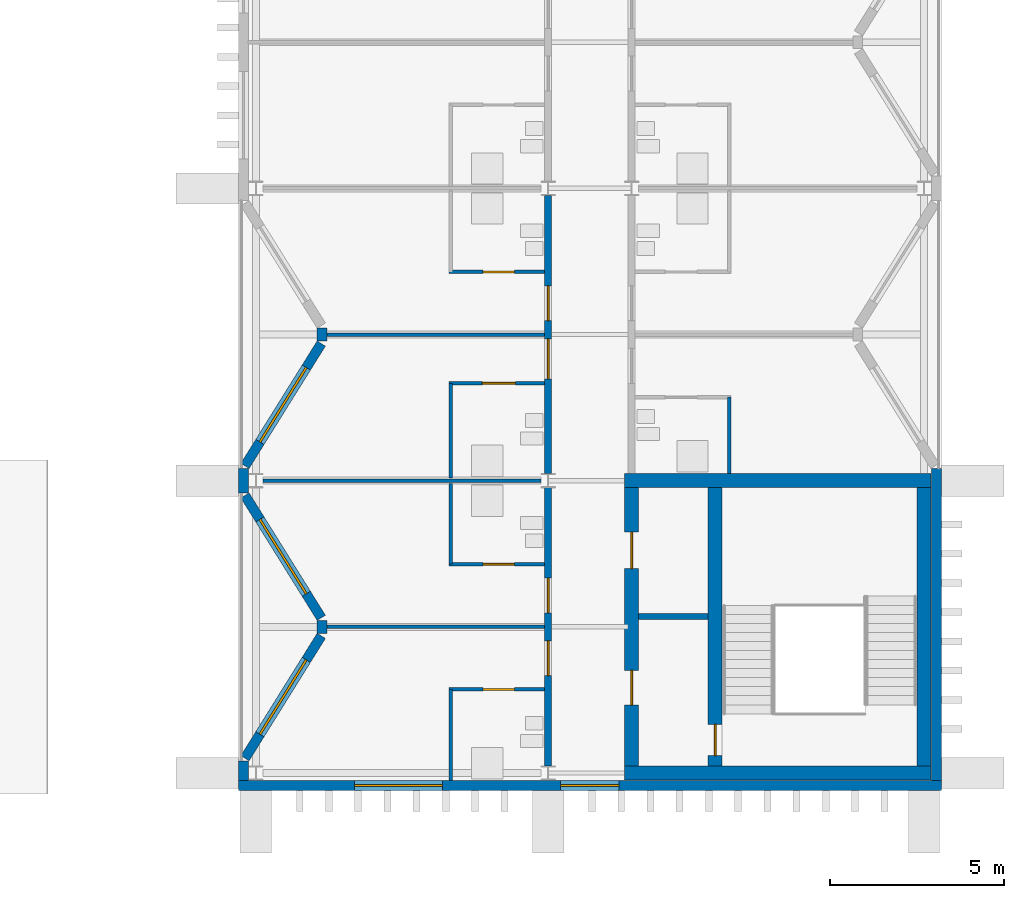
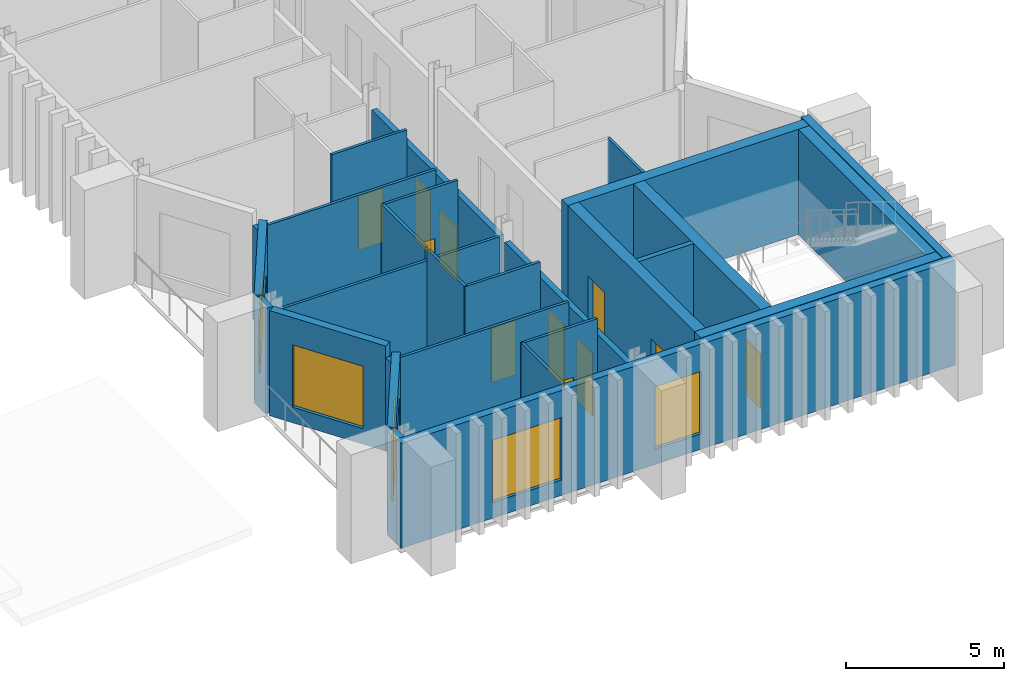
# One storey, part 10 of 21: 28 walls, 11 doors, 5 windows, 16 openings.
"""IFC4 building model written with IfcOpenShell, lengths in metres."""

import ifcopenshell
import ifcopenshell.guid

model = None  # the IFC model being written
_history = None  # IfcOwnerHistory: only IFC2X3 demands one
_inside = {}  # id of a spatial element -> (the spatial element, [elements in it])
_under = {}  # id of a project, library or spatial element -> (it, [spatial elements below it])
_declared = {}  # id of a project -> (the project, [libraries it declares])
_typed = {}  # id of a type object -> (the type object, [elements of that type])
_made_of = {}  # id of a material, layer set ... -> (it, [elements and type objects made of it])


def new_model(schema):
    """Start an empty IFC model of exactly this schema.

    Asked for "IFC4X3", IfcOpenShell would pick the latest addendum, in which some entities
    have other attributes; the version numbers below select the first issue.
    IFC2X3 requires an IfcOwnerHistory on every rooted entity: one is made here for all.
    """
    global model, _history
    if schema == "IFC4X3":
        model = ifcopenshell.file(schema_version=(4, 3, 0, 0))
    else:
        model = ifcopenshell.file(schema=schema)
    _inside.clear()
    _under.clear()
    _declared.clear()
    _typed.clear()
    _made_of.clear()
    _history = None
    if model.schema == "IFC2X3":
        org = make("IfcOrganization", Name="unknown")
        user = make(
            "IfcPersonAndOrganization",
            ThePerson=make("IfcPerson", FamilyName="unknown"),
            TheOrganization=org,
        )
        app = make(
            "IfcApplication",
            ApplicationDeveloper=org,
            Version="unknown",
            ApplicationFullName="unknown",
            ApplicationIdentifier="unknown",
        )
        _history = make(
            "IfcOwnerHistory",
            OwningUser=user,
            OwningApplication=app,
            ChangeAction="ADDED",
            CreationDate=0,
        )
    return model


def make(cls, **values):
    """One entity of the class cls with the attributes given. An attribute that is None is left unset."""
    return model.create_entity(
        cls, **{name: value for name, value in values.items() if value is not None}
    )


def rooted(cls, **values):
    """An entity with a GlobalId (a new one), such as an element, a storey or a relation."""
    return make(cls, GlobalId=ifcopenshell.guid.new(), OwnerHistory=_history, **values)


def si_unit(unit_type, name, prefix=None):
    """IfcSIUnit, for example si_unit("LENGTHUNIT", "METRE", prefix="MILLI")."""
    return make("IfcSIUnit", UnitType=unit_type, Prefix=prefix, Name=name)


def assignment(units):
    """IfcUnitAssignment: the units of a project."""
    return None if units is None else make("IfcUnitAssignment", Units=units)


def point(xyz):
    """IfcCartesianPoint."""
    return None if xyz is None else make("IfcCartesianPoint", Coordinates=xyz)


def direction(xyz):
    """IfcDirection."""
    return None if xyz is None else make("IfcDirection", DirectionRatios=xyz)


def frame(location, z_axis=None, x_axis=None):
    """IfcAxis2Placement3D, a coordinate frame: its origin and axes. An axis left out is left unset."""
    return make(
        "IfcAxis2Placement3D",
        Location=point(location),
        Axis=direction(z_axis),
        RefDirection=direction(x_axis),
    )


def frame_2d(location, x_axis=None):
    """IfcAxis2Placement2D, a coordinate frame in the plane: its origin and x axis."""
    return make(
        "IfcAxis2Placement2D", Location=point(location), RefDirection=direction(x_axis)
    )


def origin():
    """The frame at (0, 0, 0) with its axes left unset."""
    return frame((0.0, 0.0, 0.0))


def place(relative_to, where):
    """IfcLocalPlacement: puts the frame where relative to a parent placement (None: the world)."""
    return make(
        "IfcLocalPlacement", PlacementRelTo=relative_to, RelativePlacement=where
    )


def context(
    kind, dimensions, precision=None, world=None, true_north=None, identifier=None
):
    """IfcGeometricRepresentationContext, for example the 3D "Model" context."""
    return make(
        "IfcGeometricRepresentationContext",
        ContextIdentifier=identifier,
        ContextType=kind,
        CoordinateSpaceDimension=dimensions,
        Precision=precision,
        WorldCoordinateSystem=world,
        TrueNorth=true_north,
    )


def subcontext(parent, identifier, kind, view, scale=None):
    """IfcGeometricRepresentationSubContext, for example "Body" below "Model"."""
    return make(
        "IfcGeometricRepresentationSubContext",
        ContextIdentifier=identifier,
        ContextType=kind,
        ParentContext=parent,
        TargetScale=scale,
        TargetView=view,
    )


def project(units=None, contexts=None):
    """IfcProject with its units and contexts."""
    return rooted(
        "IfcProject",
        Name="project",
        RepresentationContexts=contexts,
        UnitsInContext=assignment(units),
    )


def spatial(cls, under=None, at=None, **own):
    """A site, building, storey or space (cls), placed at a placement, below another one or the project."""
    s = rooted(cls, ObjectPlacement=at, **own)
    if under is not None:
        _under.setdefault(under.id(), (under, []))[1].append(s)
    return s


def profile(cls, at=None, kind="AREA", **sizes):
    """A parametric profile (cls). Its sizes go by their IFC names, for example OverallWidth=200.0."""
    return make(cls, ProfileType=kind, Position=at, **sizes)


def rectangle(**sizes):
    """IfcRectangleProfileDef."""
    return profile("IfcRectangleProfileDef", **sizes)


def extrude(swept, where, along, depth):
    """IfcExtrudedAreaSolid: the profile swept, set in the frame where, extruded along a direction by depth."""
    return make(
        "IfcExtrudedAreaSolid",
        SweptArea=swept,
        Position=where,
        ExtrudedDirection=direction(along),
        Depth=depth,
    )


def shape(context_of_items, identifier, shape_type, items):
    """IfcShapeRepresentation: the items that make up one representation, for example the "Body"."""
    return make(
        "IfcShapeRepresentation",
        ContextOfItems=context_of_items,
        RepresentationIdentifier=identifier,
        RepresentationType=shape_type,
        Items=items,
    )


def material(Name=None, Category=None):
    """IfcMaterial."""
    return make("IfcMaterial", Name=Name, Category=Category)


def layer(
    of_material, thickness, ventilated=None, Name=None, Category=None, Priority=None
):
    """IfcMaterialLayer: one layer of a wall or slab, of a material (None: an air gap)."""
    return make(
        "IfcMaterialLayer",
        Material=of_material,
        LayerThickness=thickness,
        IsVentilated=ventilated,
        Name=Name,
        Category=Category,
        Priority=Priority,
    )


def layer_set(layers, Name=None):
    """IfcMaterialLayerSet."""
    return make("IfcMaterialLayerSet", MaterialLayers=layers, LayerSetName=Name)


def made_of(thing, what):
    """Note that an element or type object is made of a material, layer set ...; save() writes the relation."""
    if what is not None:
        _made_of.setdefault(what.id(), (what, []))[1].append(thing)
    return thing


def type_object(cls, material=None, **own):
    """A type object (cls), such as IfcWallType, which elements share."""
    return made_of(rooted(cls, **own), material)


def element(
    cls,
    number,
    at=None,
    inside=None,
    cuts=None,
    type_object=None,
    material=None,
    context=None,
    identifier="Body",
    shape_type=None,
    held_by="IfcProductDefinitionShape",
    body=None,
    shapes=None,
    **own,
):
    """One element of the class cls, such as IfcWall. Its Tag is "e" and its number.

    at: its placement. inside: the storey or other place that contains it. cuts: it is an
    opening in that element (IfcRelVoidsElement). A single representation is given by context,
    identifier, shape_type and body (its items); several are given by shapes. held_by: the class
    of the entity that holds the representations. save() writes the other relations.
    """
    e = rooted(cls, Tag="e%d" % number, ObjectPlacement=at, **own)
    if body is not None:
        shapes = [shape(context, identifier, shape_type, body)]
    if shapes is not None:
        e.Representation = make(held_by, Representations=shapes)
    if inside is not None:
        _inside.setdefault(inside.id(), (inside, []))[1].append(e)
    if cuts is not None:
        rooted(
            "IfcRelVoidsElement", RelatingBuildingElement=cuts, RelatedOpeningElement=e
        )
    if type_object is not None:
        _typed.setdefault(type_object.id(), (type_object, []))[1].append(e)
    return made_of(e, material)


def fill(opening, filler):
    """IfcRelFillsElement: the door or window that sits in an opening."""
    return rooted(
        "IfcRelFillsElement",
        RelatingOpeningElement=opening,
        RelatedBuildingElement=filler,
    )


def aggregate(whole, parts):
    """IfcRelAggregates: a whole, such as a stair, and the parts it consists of."""
    return rooted("IfcRelAggregates", RelatingObject=whole, RelatedObjects=parts)


def save(model, path):
    """Write the relations noted so far, then the file.

    IfcRelAggregates (storeys below a building ...), IfcRelContainedInSpatialStructure (elements
    in a storey), IfcRelDefinesByType, IfcRelAssociatesMaterial and IfcRelDeclares: one each for
    every whole, place, type object, material and project.
    """
    for whole, parts in _under.values():
        aggregate(whole, parts)
    for where, things in _inside.values():
        rooted(
            "IfcRelContainedInSpatialStructure",
            RelatedElements=things,
            RelatingStructure=where,
        )
    for kind, things in _typed.values():
        rooted("IfcRelDefinesByType", RelatedObjects=things, RelatingType=kind)
    for what, things in _made_of.values():
        rooted("IfcRelAssociatesMaterial", RelatedObjects=things, RelatingMaterial=what)
    for by, libraries in _declared.values():
        rooted("IfcRelDeclares", RelatingContext=by, RelatedDefinitions=libraries)
    model.write(path)


model = new_model("IFC4")

# Units and contexts
model_context = context("Model", 3, precision=1e-05, world=origin(), true_north=direction((0.0, 1.0)))
body_context = subcontext(model_context, "Body", "Model", "MODEL_VIEW")
ifc_project = project(units=[si_unit("LENGTHUNIT", "METRE"), si_unit("AREAUNIT", "SQUARE_METRE"), si_unit("VOLUMEUNIT", "CUBIC_METRE"), si_unit("PLANEANGLEUNIT", "RADIAN"), si_unit("MASSUNIT", "GRAM", prefix="KILO")], contexts=[model_context])

# Site, building, storey
site_placement = place(None, origin())
site = spatial("IfcSite", under=ifc_project, at=site_placement, CompositionType="ELEMENT")
building_placement = place(site_placement, origin())
building = spatial("IfcBuilding", under=site, at=building_placement, Name="Cresset Court Congress Hotel", CompositionType="ELEMENT")
storey_placement = place(building_placement, frame((0.0, 0.0, 22.800048828125)))
storey = spatial("IfcBuildingStorey", under=building, at=storey_placement, Name="L05", CompositionType="ELEMENT", Elevation=22.800048828125)

# Wall, openings, doors
ifc_material_1 = material(Name="Gypsum board partition")
ifc_layer_1 = layer(ifc_material_1, 0.199951171875)
ifc_layer_set_1 = layer_set([ifc_layer_1], Name="Corridor wall 200")
wall_type_1 = type_object("IfcWallType", Name="Corridor wall 200", PredefinedType="PARTITIONING", material=ifc_layer_set_1)
wall_1_placement = place(storey_placement, frame((165.60009765625, 0.199951171875, 0.0), z_axis=(0.0, 0.0, 1.0), x_axis=(0.0, 1.0, 0.0)))
wall_1 = element("IfcWall", 1, at=wall_1_placement, inside=storey, type_object=wall_type_1, Name="A.wl.L05.070", PredefinedType="PARTITIONING", context=body_context, shape_type="SweptSolid", body=[
    extrude(rectangle(XDim=8.0, YDim=0.199951171875, at=frame_2d((4.0, 0.0))), origin(), (0.0, 0.0, 1.0), 3.449951171875),
])
opening_1_placement = place(wall_1_placement, frame((2.60009765625, 0.0, 0.0)))
opening_1 = element("IfcOpeningElement", 2, at=opening_1_placement, cuts=wall_1, Name="Opening DA-05-02", PredefinedType="OPENING", context=body_context, shape_type="SweptSolid", body=[
    extrude(rectangle(XDim=1.0, YDim=2.39990234375, at=frame_2d((0.5, 1.199951171875))), frame((0.0, 0.10986328125, 0.0), z_axis=(0.0, -1.0, 0.0), x_axis=(1.0, 0.0, 0.0)), (0.0, 0.0, 1.0), 0.219970703125),
])
opening_2_placement = place(wall_1_placement, frame((4.39990234375, 0.0, 0.0)))
opening_2 = element("IfcOpeningElement", 3, at=opening_2_placement, cuts=wall_1, Name="Opening DA-05-04", PredefinedType="OPENING", context=body_context, shape_type="SweptSolid", body=[
    extrude(rectangle(XDim=1.0, YDim=2.39990234375, at=frame_2d((0.5, 1.199951171875))), frame((0.0, 0.10986328125, 0.0), z_axis=(0.0, -1.0, 0.0), x_axis=(1.0, 0.0, 0.0)), (0.0, 0.0, 1.0), 0.219970703125),
])
ifc_material_2 = material(Name="timber", Category="wood")
door_type_1 = type_object("IfcDoorType", Name="Guest-room entry door 1000x2400 FD30S", OperationType="SINGLE_SWING_LEFT", PredefinedType="DOOR", material=ifc_material_2)
door_1_placement = place(opening_1_placement, origin())
door_1 = element("IfcDoor", 4, at=door_1_placement, inside=storey, type_object=door_type_1, Name="Door DA-05-02", OperationType="SINGLE_SWING_RIGHT", OverallHeight=2.39990234375, OverallWidth=1.0, PredefinedType="DOOR", context=body_context, shape_type="SweptSolid", body=[
    extrude(rectangle(XDim=1.0, YDim=2.39990234375, at=frame_2d((0.5, 1.199951171875))), frame((0.0, 0.02490234375, 0.0), z_axis=(0.0, -1.0, 0.0), x_axis=(1.0, 0.0, 0.0)), (0.0, 0.0, 1.0), 0.050048828125),
])
fill(opening_1, door_1)
door_2_placement = place(opening_2_placement, origin())
door_2 = element("IfcDoor", 5, at=door_2_placement, inside=storey, type_object=door_type_1, Name="Door DA-05-04", OperationType="SINGLE_SWING_LEFT", OverallHeight=2.39990234375, OverallWidth=1.0, PredefinedType="DOOR", context=body_context, shape_type="SweptSolid", body=[
    extrude(rectangle(XDim=1.0, YDim=2.39990234375, at=frame_2d((0.5, 1.199951171875))), frame((0.0, 0.02490234375, 0.0), z_axis=(0.0, -1.0, 0.0), x_axis=(1.0, 0.0, 0.0)), (0.0, 0.0, 1.0), 0.050048828125),
])
fill(opening_2, door_2)

wall_2_placement = place(storey_placement, frame((165.60009765625, 8.60009765625, 0.0), z_axis=(0.0, 0.0, 1.0), x_axis=(0.0, 1.0, 0.0)))
wall_2 = element("IfcWall", 6, at=wall_2_placement, inside=storey, type_object=wall_type_1, Name="A.wl.L05.071", PredefinedType="PARTITIONING", context=body_context, shape_type="SweptSolid", body=[
    extrude(rectangle(XDim=8.0, YDim=0.199951171875, at=frame_2d((4.0, 0.0))), origin(), (0.0, 0.0, 1.0), 3.449951171875),
])
opening_3_placement = place(wall_2_placement, frame((2.72509765625, 0.0, 0.0)))
opening_3 = element("IfcOpeningElement", 7, at=opening_3_placement, cuts=wall_2, Name="Opening DA-05-06", PredefinedType="OPENING", context=body_context, shape_type="SweptSolid", body=[
    extrude(rectangle(XDim=1.14990234375, YDim=2.10009765625, at=frame_2d((0.574951171875, 1.050048828125))), frame((0.0, 0.10986328125, 0.0), z_axis=(0.0, -1.0, 0.0), x_axis=(1.0, 0.0, 0.0)), (0.0, 0.0, 1.0), 0.219970703125),
])
opening_4_placement = place(wall_2_placement, frame((4.39990234375, 0.0, 0.0)))
opening_4 = element("IfcOpeningElement", 8, at=opening_4_placement, cuts=wall_2, Name="Opening DA-05-08", PredefinedType="OPENING", context=body_context, shape_type="SweptSolid", body=[
    extrude(rectangle(XDim=1.0, YDim=2.39990234375, at=frame_2d((0.5, 1.199951171875))), frame((0.0, 0.10986328125, 0.0), z_axis=(0.0, -1.0, 0.0), x_axis=(1.0, 0.0, 0.0)), (0.0, 0.0, 1.0), 0.219970703125),
])
ifc_material_3 = material(Name="timber", Category="wood")
door_type_2 = type_object("IfcDoorType", Name="Accessible guest-room entry door 1150x2100 FD30S", OperationType="SINGLE_SWING_LEFT", PredefinedType="DOOR", material=ifc_material_3)
door_3_placement = place(opening_3_placement, origin())
door_3 = element("IfcDoor", 9, at=door_3_placement, inside=storey, type_object=door_type_2, Name="Door DA-05-06", OperationType="SINGLE_SWING_RIGHT", OverallHeight=2.10009765625, OverallWidth=1.14990234375, PredefinedType="DOOR", context=body_context, shape_type="SweptSolid", body=[
    extrude(rectangle(XDim=1.14990234375, YDim=2.10009765625, at=frame_2d((0.574951171875, 1.050048828125))), frame((0.0, 0.02490234375, 0.0), z_axis=(0.0, -1.0, 0.0), x_axis=(1.0, 0.0, 0.0)), (0.0, 0.0, 1.0), 0.050048828125),
])
fill(opening_3, door_3)
door_4_placement = place(opening_4_placement, origin())
door_4 = element("IfcDoor", 10, at=door_4_placement, inside=storey, type_object=door_type_1, Name="Door DA-05-08", OperationType="SINGLE_SWING_LEFT", OverallHeight=2.39990234375, OverallWidth=1.0, PredefinedType="DOOR", context=body_context, shape_type="SweptSolid", body=[
    extrude(rectangle(XDim=1.0, YDim=2.39990234375, at=frame_2d((0.5, 1.199951171875))), frame((0.0, 0.02490234375, 0.0), z_axis=(0.0, -1.0, 0.0), x_axis=(1.0, 0.0, 0.0)), (0.0, 0.0, 1.0), 0.050048828125),
])
fill(opening_4, door_4)

# Wall
ifc_material_4 = material(Name="Gypsum board partition")
ifc_layer_2 = layer(ifc_material_4, 0.10009765625)
ifc_layer_set_2 = layer_set([ifc_layer_2], Name="En-suite wall 100")
wall_type_2 = type_object("IfcWallType", Name="En-suite wall 100", PredefinedType="PARTITIONING", material=ifc_layer_set_2)
wall_3_placement = place(storey_placement, frame((162.800048828125, -0.219970703125, 0.0), z_axis=(0.0, 0.0, 1.0), x_axis=(0.0, 1.0, 0.0)))
element("IfcWall", 11, at=wall_3_placement, inside=storey, type_object=wall_type_2, Name="A.wl.L05.001", PredefinedType="PARTITIONING", context=body_context, shape_type="SweptSolid", body=[
    extrude(rectangle(XDim=2.619873046875, YDim=0.10009765625, at=frame_2d((1.31005859375, 0.0))), origin(), (0.0, 0.0, 1.0), 4.050048828125),
])

# Wall, opening, door
wall_4_placement = place(storey_placement, frame((162.75, 2.39990234375, 0.0), z_axis=(0.0, 0.0, 1.0), x_axis=(1.0, 0.0, 0.0)))
wall_4 = element("IfcWall", 12, at=wall_4_placement, inside=storey, type_object=wall_type_2, Name="A.wl.L05.002", PredefinedType="PARTITIONING", context=body_context, shape_type="SweptSolid", body=[
    extrude(rectangle(XDim=2.75, YDim=0.10009765625, at=frame_2d((1.375, 0.0))), origin(), (0.0, 0.0, 1.0), 4.050048828125),
])
opening_5_placement = place(wall_4_placement, frame((0.97998046875, 0.0, 0.0)))
opening_5 = element("IfcOpeningElement", 13, at=opening_5_placement, cuts=wall_4, Name="Opening DA-05-01", PredefinedType="OPENING", context=body_context, shape_type="SweptSolid", body=[
    extrude(rectangle(XDim=0.89990234375, YDim=2.10009765625, at=frame_2d((0.449951171875, 1.050048828125))), frame((0.0, 0.06005859375, 0.0), z_axis=(0.0, -1.0, 0.0), x_axis=(1.0, 0.0, 0.0)), (0.0, 0.0, 1.0), 0.1201171875),
])
ifc_material_5 = material(Name="timber", Category="wood")
door_type_3 = type_object("IfcDoorType", Name="En-suite door 900x2100", OperationType="SINGLE_SWING_LEFT", PredefinedType="DOOR", material=ifc_material_5)
door_5_placement = place(opening_5_placement, origin())
door_5 = element("IfcDoor", 14, at=door_5_placement, inside=storey, type_object=door_type_3, Name="Door DA-05-01", OperationType="SINGLE_SWING_RIGHT", OverallHeight=2.10009765625, OverallWidth=0.89990234375, PredefinedType="DOOR", context=body_context, shape_type="SweptSolid", body=[
    extrude(rectangle(XDim=0.89990234375, YDim=2.10009765625, at=frame_2d((0.449951171875, 1.050048828125))), frame((0.0, 0.02490234375, 0.0), z_axis=(0.0, -1.0, 0.0), x_axis=(1.0, 0.0, 0.0)), (0.0, 0.0, 1.0), 0.050048828125),
])
fill(opening_5, door_5)

# Wall
wall_5_placement = place(storey_placement, frame((162.800048828125, 6.0, 0.0), z_axis=(0.0, 0.0, 1.0), x_axis=(0.0, 1.0, 0.0)))
element("IfcWall", 15, at=wall_5_placement, inside=storey, type_object=wall_type_2, Name="A.wl.L05.003", PredefinedType="PARTITIONING", context=body_context, shape_type="SweptSolid", body=[
    extrude(rectangle(XDim=2.324951171875, YDim=0.10009765625, at=frame_2d((1.16259765625, 0.0))), origin(), (0.0, 0.0, 1.0), 4.050048828125),
])

# Wall, opening, door
wall_6_placement = place(storey_placement, frame((162.75, 6.0, 0.0), z_axis=(0.0, 0.0, 1.0), x_axis=(1.0, 0.0, 0.0)))
wall_6 = element("IfcWall", 16, at=wall_6_placement, inside=storey, type_object=wall_type_2, Name="A.wl.L05.004", PredefinedType="PARTITIONING", context=body_context, shape_type="SweptSolid", body=[
    extrude(rectangle(XDim=2.75, YDim=0.10009765625, at=frame_2d((1.375, 0.0))), origin(), (0.0, 0.0, 1.0), 4.050048828125),
])
opening_6_placement = place(wall_6_placement, frame((0.97998046875, 0.0, 0.0)))
opening_6 = element("IfcOpeningElement", 17, at=opening_6_placement, cuts=wall_6, Name="Opening DA-05-03", PredefinedType="OPENING", context=body_context, shape_type="SweptSolid", body=[
    extrude(rectangle(XDim=0.89990234375, YDim=2.10009765625, at=frame_2d((0.449951171875, 1.050048828125))), frame((0.0, 0.06005859375, 0.0), z_axis=(0.0, -1.0, 0.0), x_axis=(1.0, 0.0, 0.0)), (0.0, 0.0, 1.0), 0.1201171875),
])
door_6_placement = place(opening_6_placement, origin())
door_6 = element("IfcDoor", 18, at=door_6_placement, inside=storey, type_object=door_type_3, Name="Door DA-05-03", OperationType="SINGLE_SWING_LEFT", OverallHeight=2.10009765625, OverallWidth=0.89990234375, PredefinedType="DOOR", context=body_context, shape_type="SweptSolid", body=[
    extrude(rectangle(XDim=0.89990234375, YDim=2.10009765625, at=frame_2d((0.449951171875, 1.050048828125))), frame((0.0, 0.02490234375, 0.0), z_axis=(0.0, -1.0, 0.0), x_axis=(1.0, 0.0, 0.0)), (0.0, 0.0, 1.0), 0.050048828125),
])
fill(opening_6, door_6)

# Wall
wall_7_placement = place(storey_placement, frame((162.800048828125, 8.47509765625, 0.0), z_axis=(0.0, 0.0, 1.0), x_axis=(0.0, 1.0, 0.0)))
element("IfcWall", 19, at=wall_7_placement, inside=storey, type_object=wall_type_2, Name="A.wl.L05.005", PredefinedType="PARTITIONING", context=body_context, shape_type="SweptSolid", body=[
    extrude(rectangle(XDim=2.724853515625, YDim=0.10009765625, at=frame_2d((1.3623046875, 0.0))), origin(), (0.0, 0.0, 1.0), 4.050048828125),
])

# Wall, opening, door
wall_8_placement = place(storey_placement, frame((162.75, 11.199951171875, 0.0), z_axis=(0.0, 0.0, 1.0), x_axis=(1.0, 0.0, 0.0)))
wall_8 = element("IfcWall", 20, at=wall_8_placement, inside=storey, type_object=wall_type_2, Name="A.wl.L05.006", PredefinedType="PARTITIONING", context=body_context, shape_type="SweptSolid", body=[
    extrude(rectangle(XDim=2.75, YDim=0.10009765625, at=frame_2d((1.375, 0.0))), origin(), (0.0, 0.0, 1.0), 4.050048828125),
])
opening_7_placement = place(wall_8_placement, frame((0.955078125, 0.0, 0.0)))
opening_7 = element("IfcOpeningElement", 21, at=opening_7_placement, cuts=wall_8, Name="Opening DA-05-05", PredefinedType="OPENING", context=body_context, shape_type="SweptSolid", body=[
    extrude(rectangle(XDim=0.949951171875, YDim=2.10009765625, at=frame_2d((0.47509765625, 1.050048828125))), frame((0.0, 0.06005859375, 0.0), z_axis=(0.0, -1.0, 0.0), x_axis=(1.0, 0.0, 0.0)), (0.0, 0.0, 1.0), 0.1201171875),
])
ifc_material_6 = material(Name="timber", Category="wood")
door_type_4 = type_object("IfcDoorType", Name="Accessible en-suite door 950x2100", OperationType="SINGLE_SWING_LEFT", PredefinedType="DOOR", material=ifc_material_6)
door_7_placement = place(opening_7_placement, origin())
door_7 = element("IfcDoor", 22, at=door_7_placement, inside=storey, type_object=door_type_4, Name="Door DA-05-05", OperationType="SINGLE_SWING_RIGHT", OverallHeight=2.10009765625, OverallWidth=0.949951171875, PredefinedType="DOOR", context=body_context, shape_type="SweptSolid", body=[
    extrude(rectangle(XDim=0.949951171875, YDim=2.10009765625, at=frame_2d((0.47509765625, 1.050048828125))), frame((0.0, 0.02490234375, 0.0), z_axis=(0.0, -1.0, 0.0), x_axis=(1.0, 0.0, 0.0)), (0.0, 0.0, 1.0), 0.050048828125),
])
fill(opening_7, door_7)

wall_9_placement = place(storey_placement, frame((162.75, 14.39990234375, 0.0), z_axis=(0.0, 0.0, 1.0), x_axis=(1.0, 0.0, 0.0)))
wall_9 = element("IfcWall", 23, at=wall_9_placement, inside=storey, type_object=wall_type_2, Name="A.wl.L05.008", PredefinedType="PARTITIONING", context=body_context, shape_type="SweptSolid", body=[
    extrude(rectangle(XDim=2.75, YDim=0.10009765625, at=frame_2d((1.375, 0.0))), origin(), (0.0, 0.0, 1.0), 4.050048828125),
])
opening_8_placement = place(wall_9_placement, frame((0.97998046875, 0.0, 0.0)))
opening_8 = element("IfcOpeningElement", 24, at=opening_8_placement, cuts=wall_9, Name="Opening DA-05-07", PredefinedType="OPENING", context=body_context, shape_type="SweptSolid", body=[
    extrude(rectangle(XDim=0.89990234375, YDim=2.10009765625, at=frame_2d((0.449951171875, 1.050048828125))), frame((0.0, 0.06005859375, 0.0), z_axis=(0.0, -1.0, 0.0), x_axis=(1.0, 0.0, 0.0)), (0.0, 0.0, 1.0), 0.1201171875),
])
door_8_placement = place(opening_8_placement, origin())
door_8 = element("IfcDoor", 25, at=door_8_placement, inside=storey, type_object=door_type_3, Name="Door DA-05-07", OperationType="SINGLE_SWING_LEFT", OverallHeight=2.10009765625, OverallWidth=0.89990234375, PredefinedType="DOOR", context=body_context, shape_type="SweptSolid", body=[
    extrude(rectangle(XDim=0.89990234375, YDim=2.10009765625, at=frame_2d((0.449951171875, 1.050048828125))), frame((0.0, 0.02490234375, 0.0), z_axis=(0.0, -1.0, 0.0), x_axis=(1.0, 0.0, 0.0)), (0.0, 0.0, 1.0), 0.050048828125),
])
fill(opening_8, door_8)

# Walls
wall_10_placement = place(storey_placement, frame((170.800048828125, 8.60009765625, 0.0), z_axis=(0.0, 0.0, 1.0), x_axis=(0.0, 1.0, 0.0)))
element("IfcWall", 26, at=wall_10_placement, inside=storey, type_object=wall_type_2, Name="A.wl.L05.033", PredefinedType="PARTITIONING", context=body_context, shape_type="SweptSolid", body=[
    extrude(rectangle(XDim=2.199951171875, YDim=0.10009765625, at=frame_2d((1.10009765625, 0.0))), origin(), (0.0, 0.0, 1.0), 4.050048828125),
])
ifc_material_7 = material(Name="Precast concrete C50", Category="concrete")
ifc_layer_3 = layer(ifc_material_7, 0.280029296875)
ifc_layer_set_3 = layer_set([ifc_layer_3], Name="External wall 280")
wall_type_3 = type_object("IfcWallType", Name="External wall 280", PredefinedType="SOLIDWALL", material=ifc_layer_set_3)
wall_11_placement = place(storey_placement, frame((156.840087890625, -0.219970703125, 0.0), z_axis=(0.0, 0.0, 1.0), x_axis=(0.0, 1.0, 0.0)))
element("IfcWall", 27, at=wall_11_placement, inside=storey, type_object=wall_type_3, Name="A.ew.L05.W.1", PredefinedType="SOLIDWALL", context=body_context, shape_type="SweptSolid", body=[
    extrude(rectangle(XDim=0.570068359375, YDim=0.280029296875, at=frame_2d((0.28515625, 0.0))), origin(), (0.0, 0.0, 1.0), 4.050048828125),
])

# Wall, opening, window
wall_12_placement = place(storey_placement, frame((156.88623046875, 0.424072265625, 0.0), z_axis=(0.0, 0.0, 1.0), x_axis=(0.529018946142, 0.848610013271, 0.0)))
wall_12 = element("IfcWall", 28, at=wall_12_placement, inside=storey, type_object=wall_type_3, Name="A.ew.L05.Wn.0.0", PredefinedType="SOLIDWALL", context=body_context, shape_type="SweptSolid", body=[
    extrude(rectangle(XDim=4.144287109375, YDim=0.280029296875, at=frame_2d((2.072265625, 0.0))), origin(), (0.0, 0.0, 1.0), 4.050048828125),
])
opening_9_placement = place(wall_12_placement, frame((0.812255859375, 0.0, 0.60009765625)))
opening_9 = element("IfcOpeningElement", 29, at=opening_9_placement, cuts=wall_12, Name="Opening NA-05-01", PredefinedType="OPENING", context=body_context, shape_type="SweptSolid", body=[
    extrude(rectangle(XDim=2.52001953125, YDim=2.39990234375, at=frame_2d((1.260009765625, 1.199951171875))), frame((0.0, 0.14990234375, 0.0), z_axis=(0.0, -1.0, 0.0), x_axis=(1.0, 0.0, 0.0)), (0.0, 0.0, 1.0), 0.300048828125),
])
ifc_material_8 = material(Name="Aluminium and glass", Category="aluminium")
window_type_1 = type_object("IfcWindowType", Name="Window 2520x2400", PartitioningType="SINGLE_PANEL", PredefinedType="WINDOW", material=ifc_material_8)
window_1_placement = place(opening_9_placement, origin())
window_1 = element("IfcWindow", 30, at=window_1_placement, inside=storey, type_object=window_type_1, Name="Window NA-05-01", OverallHeight=2.39990234375, OverallWidth=2.52001953125, PartitioningType="SINGLE_PANEL", PredefinedType="WINDOW", context=body_context, shape_type="SweptSolid", body=[
    extrude(rectangle(XDim=2.52001953125, YDim=2.39990234375, at=frame_2d((1.260009765625, 1.199951171875))), frame((0.0, 0.030029296875, 0.0), z_axis=(0.0, -1.0, 0.0), x_axis=(1.0, 0.0, 0.0)), (0.0, 0.0, 1.0), 0.06005859375),
])
fill(opening_9, window_1)

wall_13_placement = place(storey_placement, frame((159.07861328125, 4.458984375, 0.0), z_axis=(0.0, 0.0, 1.0), x_axis=(-0.529018946142, 0.848610013271, 0.0)))
wall_13 = element("IfcWall", 31, at=wall_13_placement, inside=storey, type_object=wall_type_3, Name="A.ew.L05.Wn.0.1", PredefinedType="SOLIDWALL", context=body_context, shape_type="SweptSolid", body=[
    extrude(rectangle(XDim=4.144287109375, YDim=0.280029296875, at=frame_2d((2.072265625, 0.0))), origin(), (0.0, 0.0, 1.0), 4.050048828125),
])
opening_10_placement = place(wall_13_placement, frame((0.812255859375, 0.0, 0.60009765625)))
opening_10 = element("IfcOpeningElement", 32, at=opening_10_placement, cuts=wall_13, Name="Opening NA-05-02", PredefinedType="OPENING", context=body_context, shape_type="SweptSolid", body=[
    extrude(rectangle(XDim=2.52001953125, YDim=2.39990234375, at=frame_2d((1.260009765625, 1.199951171875))), frame((0.0, 0.14990234375, 0.0), z_axis=(0.0, -1.0, 0.0), x_axis=(1.0, 0.0, 0.0)), (0.0, 0.0, 1.0), 0.300048828125),
])
window_2_placement = place(opening_10_placement, origin())
window_2 = element("IfcWindow", 33, at=window_2_placement, inside=storey, type_object=window_type_1, Name="Window NA-05-02", OverallHeight=2.39990234375, OverallWidth=2.52001953125, PartitioningType="SINGLE_PANEL", PredefinedType="WINDOW", context=body_context, shape_type="SweptSolid", body=[
    extrude(rectangle(XDim=2.52001953125, YDim=2.39990234375, at=frame_2d((1.260009765625, 1.199951171875))), frame((0.0, 0.030029296875, 0.0), z_axis=(0.0, -1.0, 0.0), x_axis=(1.0, 0.0, 0.0)), (0.0, 0.0, 1.0), 0.06005859375),
])
fill(opening_10, window_2)

# Walls
wall_14_placement = place(storey_placement, frame((159.099609375, 4.01513671875, 0.0), z_axis=(0.0, 0.0, 1.0), x_axis=(0.0, 1.0, 0.0)))
element("IfcWall", 34, at=wall_14_placement, inside=storey, type_object=wall_type_3, Name="A.ew.L05.Wn.0.2", PredefinedType="SOLIDWALL", context=body_context, shape_type="SweptSolid", body=[
    extrude(rectangle(XDim=0.369873046875, YDim=0.280029296875, at=frame_2d((0.18505859375, 0.0))), origin(), (0.0, 0.0, 1.0), 3.60400390625),
])
wall_15_placement = place(storey_placement, frame((156.840087890625, 8.050048828125, 0.0), z_axis=(0.0, 0.0, 1.0), x_axis=(0.0, 1.0, 0.0)))
element("IfcWall", 35, at=wall_15_placement, inside=storey, type_object=wall_type_3, Name="A.ew.L05.W.2", PredefinedType="SOLIDWALL", context=body_context, shape_type="SweptSolid", body=[
    extrude(rectangle(XDim=0.699951171875, YDim=0.280029296875, at=frame_2d((0.35009765625, 0.0))), origin(), (0.0, 0.0, 1.0), 4.050048828125),
])

# Wall, opening, window
wall_16_placement = place(storey_placement, frame((156.88623046875, 8.82421875, 0.0), z_axis=(0.0, 0.0, 1.0), x_axis=(0.529018946142, 0.848610013271, 0.0)))
wall_16 = element("IfcWall", 36, at=wall_16_placement, inside=storey, type_object=wall_type_3, Name="A.ew.L05.Wn.1.0", PredefinedType="SOLIDWALL", context=body_context, shape_type="SweptSolid", body=[
    extrude(rectangle(XDim=4.144287109375, YDim=0.280029296875, at=frame_2d((2.072265625, 0.0))), origin(), (0.0, 0.0, 1.0), 4.050048828125),
])
opening_11_placement = place(wall_16_placement, frame((0.812255859375, 0.0, 0.449951171875)))
opening_11 = element("IfcOpeningElement", 37, at=opening_11_placement, cuts=wall_16, Name="Opening NA-05-03", PredefinedType="OPENING", context=body_context, shape_type="SweptSolid", body=[
    extrude(rectangle(XDim=2.52001953125, YDim=2.10009765625, at=frame_2d((1.260009765625, 1.050048828125))), frame((0.0, 0.14990234375, 0.0), z_axis=(0.0, -1.0, 0.0), x_axis=(1.0, 0.0, 0.0)), (0.0, 0.0, 1.0), 0.300048828125),
])
ifc_material_9 = material(Name="Aluminium and glass", Category="aluminium")
window_type_2 = type_object("IfcWindowType", Name="Window 2520x2100", PartitioningType="SINGLE_PANEL", PredefinedType="WINDOW", material=ifc_material_9)
window_3_placement = place(opening_11_placement, origin())
window_3 = element("IfcWindow", 38, at=window_3_placement, inside=storey, type_object=window_type_2, Name="Window NA-05-03", OverallHeight=2.10009765625, OverallWidth=2.52001953125, PartitioningType="SINGLE_PANEL", PredefinedType="WINDOW", context=body_context, shape_type="SweptSolid", body=[
    extrude(rectangle(XDim=2.52001953125, YDim=2.10009765625, at=frame_2d((1.260009765625, 1.050048828125))), frame((0.0, 0.030029296875, 0.0), z_axis=(0.0, -1.0, 0.0), x_axis=(1.0, 0.0, 0.0)), (0.0, 0.0, 1.0), 0.06005859375),
])
fill(opening_11, window_3)

# Walls
wall_17_placement = place(storey_placement, frame((159.099609375, 12.4150390625, 0.0), z_axis=(0.0, 0.0, 1.0), x_axis=(0.0, 1.0, 0.0)))
element("IfcWall", 39, at=wall_17_placement, inside=storey, type_object=wall_type_3, Name="A.ew.L05.Wn.1.2", PredefinedType="SOLIDWALL", context=body_context, shape_type="SweptSolid", body=[
    extrude(rectangle(XDim=0.369873046875, YDim=0.280029296875, at=frame_2d((0.18505859375, 0.0))), origin(), (0.0, 0.0, 1.0), 3.60400390625),
])
wall_18_placement = place(storey_placement, frame((176.760009765625, -0.219970703125, 0.0), z_axis=(0.0, 0.0, 1.0), x_axis=(0.0, 1.0, 0.0)))
element("IfcWall", 40, at=wall_18_placement, inside=storey, type_object=wall_type_3, Name="A.ew.L05.E.1", PredefinedType="SOLIDWALL", context=body_context, shape_type="SweptSolid", body=[
    extrude(rectangle(XDim=8.969970703125, YDim=0.280029296875, at=frame_2d((4.48486328125, 0.0))), origin(), (0.0, 0.0, 1.0), 4.050048828125),
])

# Wall, openings, windows
ifc_material_10 = material(Name="Precast concrete C50", Category="concrete")
ifc_layer_4 = layer(ifc_material_10, 0.280029296875)
ifc_layer_set_4 = layer_set([ifc_layer_4], Name="Gable end wall 280")
wall_type_4 = type_object("IfcWallType", Name="Gable end wall 280", PredefinedType="SOLIDWALL", material=ifc_layer_set_4)
wall_19_placement = place(storey_placement, frame((156.699951171875, -0.360107421875, 0.0), z_axis=(0.0, 0.0, 1.0), x_axis=(1.0, 0.0, 0.0)))
wall_19 = element("IfcWall", 41, at=wall_19_placement, inside=storey, type_object=wall_type_4, Name="A.ew.L05.S.1", PredefinedType="SOLIDWALL", context=body_context, shape_type="SweptSolid", body=[
    extrude(rectangle(XDim=20.199951171875, YDim=0.280029296875, at=frame_2d((10.10009765625, 0.0))), origin(), (0.0, 0.0, 1.0), 4.050048828125),
])
opening_12_placement = place(wall_19_placement, frame((9.260009765625, 0.0, 0.60009765625)))
opening_12 = element("IfcOpeningElement", 42, at=opening_12_placement, cuts=wall_19, Name="Opening NA-05-25", PredefinedType="OPENING", context=body_context, shape_type="SweptSolid", body=[
    extrude(rectangle(XDim=1.679931640625, YDim=2.39990234375, at=frame_2d((0.83984375, 1.199951171875))), frame((0.0, 0.14990234375, 0.0), z_axis=(0.0, -1.0, 0.0), x_axis=(1.0, 0.0, 0.0)), (0.0, 0.0, 1.0), 0.300048828125),
])
opening_13_placement = place(wall_19_placement, frame((3.340087890625, 0.0, 0.60009765625)))
opening_13 = element("IfcOpeningElement", 43, at=opening_13_placement, cuts=wall_19, Name="Opening NA-05-26", PredefinedType="OPENING", context=body_context, shape_type="SweptSolid", body=[
    extrude(rectangle(XDim=2.52001953125, YDim=2.39990234375, at=frame_2d((1.260009765625, 1.199951171875))), frame((0.0, 0.14990234375, 0.0), z_axis=(0.0, -1.0, 0.0), x_axis=(1.0, 0.0, 0.0)), (0.0, 0.0, 1.0), 0.300048828125),
])
ifc_material_11 = material(Name="Aluminium and glass", Category="aluminium")
window_type_3 = type_object("IfcWindowType", Name="Window 1680x2400", PartitioningType="SINGLE_PANEL", PredefinedType="WINDOW", material=ifc_material_11)
window_4_placement = place(opening_12_placement, origin())
window_4 = element("IfcWindow", 44, at=window_4_placement, inside=storey, type_object=window_type_3, Name="Window NA-05-25", OverallHeight=2.39990234375, OverallWidth=1.679931640625, PartitioningType="SINGLE_PANEL", PredefinedType="WINDOW", context=body_context, shape_type="SweptSolid", body=[
    extrude(rectangle(XDim=1.679931640625, YDim=2.39990234375, at=frame_2d((0.83984375, 1.199951171875))), frame((0.0, 0.030029296875, 0.0), z_axis=(0.0, -1.0, 0.0), x_axis=(1.0, 0.0, 0.0)), (0.0, 0.0, 1.0), 0.06005859375),
])
fill(opening_12, window_4)
window_5_placement = place(opening_13_placement, origin())
window_5 = element("IfcWindow", 45, at=window_5_placement, inside=storey, type_object=window_type_1, Name="Window NA-05-26", OverallHeight=2.39990234375, OverallWidth=2.52001953125, PartitioningType="SINGLE_PANEL", PredefinedType="WINDOW", context=body_context, shape_type="SweptSolid", body=[
    extrude(rectangle(XDim=2.52001953125, YDim=2.39990234375, at=frame_2d((1.260009765625, 1.199951171875))), frame((0.0, 0.030029296875, 0.0), z_axis=(0.0, -1.0, 0.0), x_axis=(1.0, 0.0, 0.0)), (0.0, 0.0, 1.0), 0.06005859375),
])
fill(opening_13, window_5)

# Walls
ifc_material_12 = material(Name="Gypsum board partition")
ifc_layer_5 = layer(ifc_material_12, 0.10009765625)
ifc_layer_set_5 = layer_set([ifc_layer_5], Name="Guest-room partition 100")
wall_type_5 = type_object("IfcWallType", Name="Guest-room partition 100", PredefinedType="PARTITIONING", material=ifc_layer_set_5)
wall_20_placement = place(storey_placement, frame((157.39990234375, 8.39990234375, 0.0), z_axis=(0.0, 0.0, 1.0), x_axis=(1.0, 0.0, 0.0)))
element("IfcWall", 46, at=wall_20_placement, inside=storey, type_object=wall_type_5, Name="A.wl.L05.049", PredefinedType="PARTITIONING", context=body_context, shape_type="SweptSolid", body=[
    extrude(rectangle(XDim=8.0, YDim=0.10009765625, at=frame_2d((4.0, 0.0))), origin(), (0.0, 0.0, 1.0), 3.60400390625),
])
for number, where, z_axis, x_axis, name in (
    (47, (159.23974609375, 4.199951171875, 0.0), (0.0, 0.0, 1.0), (1.0, 0.0, 0.0), "A.wl.L05.058"),
    (48, (159.23974609375, 12.60009765625, 0.0), (0.0, 0.0, 1.0), (1.0, 0.0, 0.0), "A.wl.L05.059"),
):
    element("IfcWall", number, at=place(storey_placement, frame(where, z_axis=z_axis, x_axis=x_axis)), inside=storey, type_object=wall_type_5, Name=name, PredefinedType="PARTITIONING", context=body_context, shape_type="SweptSolid", body=[
        extrude(rectangle(XDim=6.26025390625, YDim=0.10009765625, at=frame_2d((3.130126953125, 0.0))), origin(), (0.0, 0.0, 1.0), 3.60400390625),
    ])
ifc_material_13 = material(Name="Concrete block wall", Category="concrete")
ifc_layer_6 = layer(ifc_material_13, 0.175048828125)
ifc_layer_set_6 = layer_set([ifc_layer_6], Name="Riser shaft wall 175")
wall_type_6 = type_object("IfcWallType", Name="Riser shaft wall 175", PredefinedType="PARTITIONING", material=ifc_layer_set_6)
wall_21_placement = place(storey_placement, frame((168.199951171875, 4.5, 0.0), z_axis=(0.0, 0.0, 1.0), x_axis=(1.0, 0.0, 0.0)))
element("IfcWall", 49, at=wall_21_placement, inside=storey, type_object=wall_type_6, Name="A.wl.L05.083", PredefinedType="PARTITIONING", context=body_context, shape_type="SweptSolid", body=[
    extrude(rectangle(XDim=2.0, YDim=0.175048828125, at=frame_2d((1.0, 0.0))), origin(), (0.0, 0.0, 1.0), 4.050048828125),
])
ifc_material_14 = material(Name="Concrete C50", Category="concrete")
ifc_layer_7 = layer(ifc_material_14, 0.39990234375)
ifc_layer_set_7 = layer_set([ifc_layer_7], Name="Stair core wall 400")
wall_type_7 = type_object("IfcWallType", Name="Stair core wall 400", PredefinedType="SOLIDWALL", material=ifc_layer_set_7)
for number, where, z_axis, x_axis, name in (
    (50, (167.800048828125, 0.0, 0.0), (0.0, 0.0, 1.0), (1.0, 0.0, 0.0), "A.cw.ST-A1.L05.S"),
    (51, (167.800048828125, 8.39990234375, 0.0), (0.0, 0.0, 1.0), (1.0, 0.0, 0.0), "A.cw.ST-A1.L05.N"),
):
    element("IfcWall", number, at=place(storey_placement, frame(where, z_axis=z_axis, x_axis=x_axis)), inside=storey, type_object=wall_type_7, Name=name, PredefinedType="SOLIDWALL", context=body_context, shape_type="SweptSolid", body=[
        extrude(rectangle(XDim=8.800048828125, YDim=0.39990234375, at=frame_2d((4.39990234375, 0.0))), origin(), (0.0, 0.0, 1.0), 4.050048828125),
    ])

# Wall, openings, doors
wall_22_placement = place(storey_placement, frame((168.0, 0.199951171875, 0.0), z_axis=(0.0, 0.0, 1.0), x_axis=(0.0, 1.0, 0.0)))
wall_22 = element("IfcWall", 52, at=wall_22_placement, inside=storey, type_object=wall_type_7, Name="A.cw.ST-A1.L05.W", PredefinedType="SOLIDWALL", context=body_context, shape_type="SweptSolid", body=[
    extrude(rectangle(XDim=8.0, YDim=0.39990234375, at=frame_2d((4.0, 0.0))), origin(), (0.0, 0.0, 1.0), 4.050048828125),
])
opening_14_placement = place(wall_22_placement, frame((1.75, 0.0, 0.0)))
opening_14 = element("IfcOpeningElement", 53, at=opening_14_placement, cuts=wall_22, Name="Opening DA-05-50", PredefinedType="OPENING", context=body_context, shape_type="SweptSolid", body=[
    extrude(rectangle(XDim=1.0, YDim=2.10009765625, at=frame_2d((0.5, 1.050048828125))), frame((0.0, 0.2099609375, 0.0), z_axis=(0.0, -1.0, 0.0), x_axis=(1.0, 0.0, 0.0)), (0.0, 0.0, 1.0), 0.419921875),
])
opening_15_placement = place(wall_22_placement, frame((5.675048828125, 0.0, 0.0)))
opening_15 = element("IfcOpeningElement", 54, at=opening_15_placement, cuts=wall_22, Name="Opening DA-05-51", PredefinedType="OPENING", context=body_context, shape_type="SweptSolid", body=[
    extrude(rectangle(XDim=1.050048828125, YDim=2.10009765625, at=frame_2d((0.52490234375, 1.050048828125))), frame((0.0, 0.2099609375, 0.0), z_axis=(0.0, -1.0, 0.0), x_axis=(1.0, 0.0, 0.0)), (0.0, 0.0, 1.0), 0.419921875),
])
ifc_material_15 = material(Name="steel", Category="steel")
door_type_5 = type_object("IfcDoorType", Name="Housekeeping room door 1050x2100 FD30", OperationType="SINGLE_SWING_LEFT", PredefinedType="DOOR", material=ifc_material_15)
door_9_placement = place(opening_15_placement, origin())
door_9 = element("IfcDoor", 55, at=door_9_placement, inside=storey, type_object=door_type_5, Name="Door DA-05-51", OperationType="SINGLE_SWING_LEFT", OverallHeight=2.10009765625, OverallWidth=1.050048828125, PredefinedType="DOOR", context=body_context, shape_type="SweptSolid", body=[
    extrude(rectangle(XDim=1.050048828125, YDim=2.10009765625, at=frame_2d((0.52490234375, 1.050048828125))), frame((0.0, 0.02490234375, 0.0), z_axis=(0.0, -1.0, 0.0), x_axis=(1.0, 0.0, 0.0)), (0.0, 0.0, 1.0), 0.050048828125),
])
fill(opening_15, door_9)
ifc_material_16 = material(Name="steel", Category="steel")
door_type_6 = type_object("IfcDoorType", Name="Lobby door 1000x2100 FD60", OperationType="SINGLE_SWING_LEFT", PredefinedType="DOOR", material=ifc_material_16)
door_10_placement = place(opening_14_placement, origin())
door_10 = element("IfcDoor", 56, at=door_10_placement, inside=storey, type_object=door_type_6, Name="Door DA-05-50", OperationType="SINGLE_SWING_RIGHT", OverallHeight=2.10009765625, OverallWidth=1.0, PredefinedType="DOOR", context=body_context, shape_type="SweptSolid", body=[
    extrude(rectangle(XDim=1.0, YDim=2.10009765625, at=frame_2d((0.5, 1.050048828125))), frame((0.0, 0.02490234375, 0.0), z_axis=(0.0, -1.0, 0.0), x_axis=(1.0, 0.0, 0.0)), (0.0, 0.0, 1.0), 0.050048828125),
])
fill(opening_14, door_10)

# Wall
wall_23_placement = place(storey_placement, frame((176.39990234375, 0.199951171875, 0.0), z_axis=(0.0, 0.0, 1.0), x_axis=(0.0, 1.0, 0.0)))
element("IfcWall", 57, at=wall_23_placement, inside=storey, type_object=wall_type_7, Name="A.cw.ST-A1.L05.E", PredefinedType="SOLIDWALL", context=body_context, shape_type="SweptSolid", body=[
    extrude(rectangle(XDim=8.0, YDim=0.39990234375, at=frame_2d((4.0, 0.0))), origin(), (0.0, 0.0, 1.0), 4.050048828125),
])

# Wall, opening, door
wall_24_placement = place(storey_placement, frame((170.39990234375, 0.199951171875, 0.0), z_axis=(0.0, 0.0, 1.0), x_axis=(0.0, 1.0, 0.0)))
wall_24 = element("IfcWall", 58, at=wall_24_placement, inside=storey, type_object=wall_type_7, Name="A.wl.L05.082", PredefinedType="SOLIDWALL", context=body_context, shape_type="SweptSolid", body=[
    extrude(rectangle(XDim=8.0, YDim=0.39990234375, at=frame_2d((4.0, 0.0))), origin(), (0.0, 0.0, 1.0), 4.050048828125),
])
opening_16_placement = place(wall_24_placement, frame((0.300048828125, 0.0, 0.0)))
opening_16 = element("IfcOpeningElement", 59, at=opening_16_placement, cuts=wall_24, Name="Opening DA-05-49", PredefinedType="OPENING", context=body_context, shape_type="SweptSolid", body=[
    extrude(rectangle(XDim=0.89990234375, YDim=2.10009765625, at=frame_2d((0.449951171875, 1.050048828125))), frame((0.0, 0.2099609375, 0.0), z_axis=(0.0, -1.0, 0.0), x_axis=(1.0, 0.0, 0.0)), (0.0, 0.0, 1.0), 0.419921875),
])
ifc_material_17 = material(Name="steel", Category="steel")
door_type_7 = type_object("IfcDoorType", Name="Stair door 900x2100 FD60", OperationType="SINGLE_SWING_LEFT", PredefinedType="DOOR", material=ifc_material_17)
door_11_placement = place(opening_16_placement, origin())
door_11 = element("IfcDoor", 60, at=door_11_placement, inside=storey, type_object=door_type_7, Name="Door DA-05-49", OperationType="SINGLE_SWING_LEFT", OverallHeight=2.10009765625, OverallWidth=0.89990234375, PredefinedType="DOOR", context=body_context, shape_type="SweptSolid", body=[
    extrude(rectangle(XDim=0.89990234375, YDim=2.10009765625, at=frame_2d((0.449951171875, 1.050048828125))), frame((0.0, 0.02490234375, 0.0), z_axis=(0.0, -1.0, 0.0), x_axis=(1.0, 0.0, 0.0)), (0.0, 0.0, 1.0), 0.050048828125),
])
fill(opening_16, door_11)

save(model, "model.ifc")
